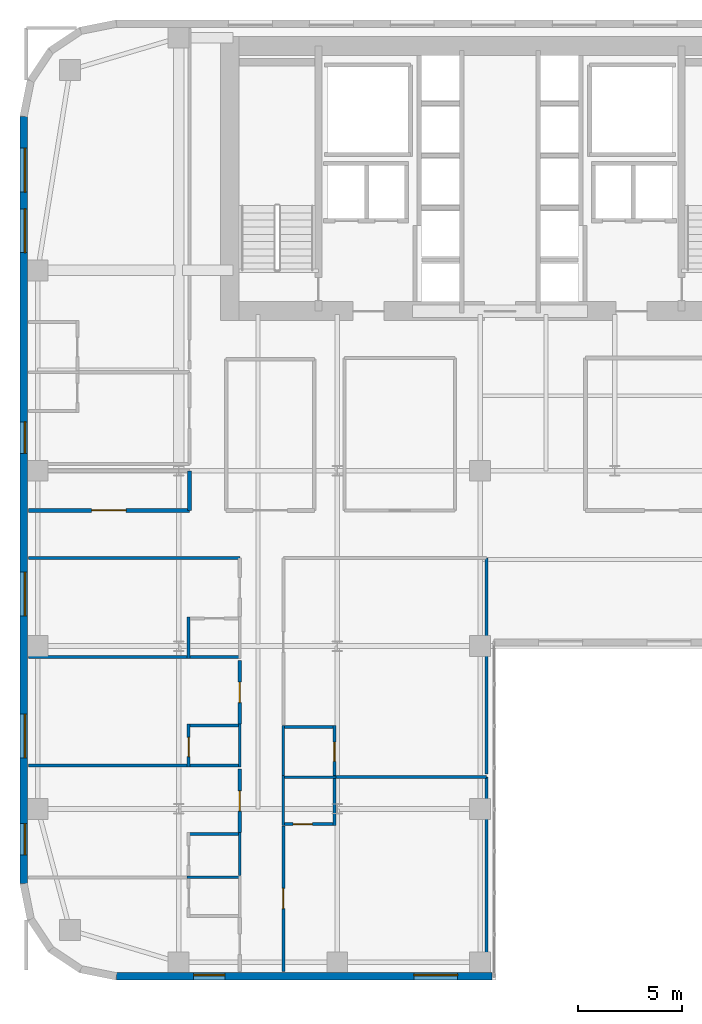
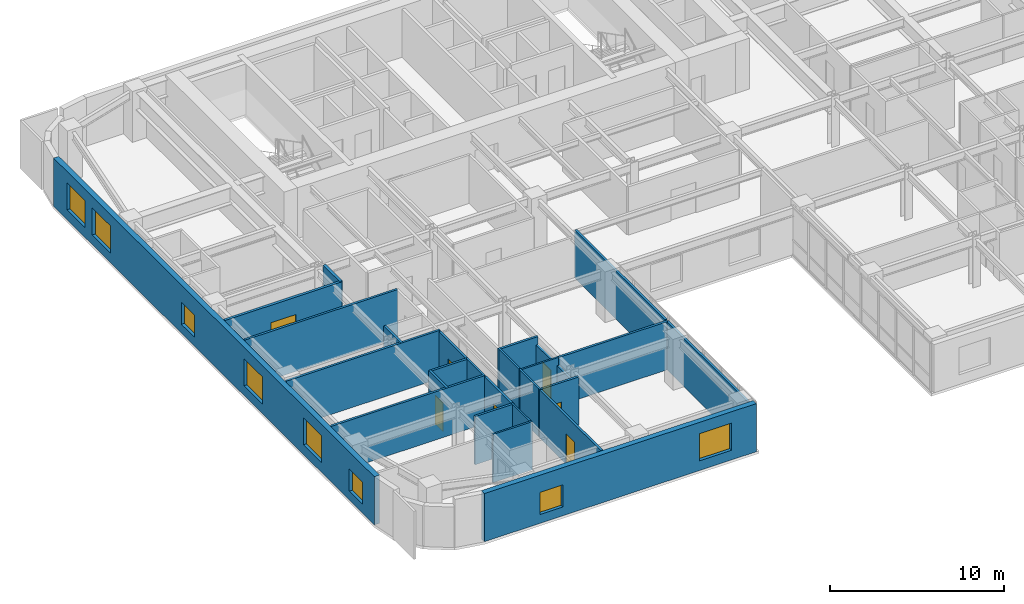
# One storey, part 10 of 16: 27 walls, 8 windows, 7 doors, 15 openings.
"""IFC4 building model written with IfcOpenShell, lengths in metres."""

from ifc_helpers import new_model, si_unit, direction, frame, frame_2d, origin, place, context, subcontext, project, spatial, rectangle, extrude, source, transform, mapped, material, layer, layer_set, type_object, type_shapes, element, fill, save


model = new_model("IFC4")

# Units and contexts
model_context = context("Model", 3, precision=1e-05, world=origin(), true_north=direction((0.0, 1.0)))
body_context = subcontext(model_context, "Body", "Model", "MODEL_VIEW")
ifc_project = project(units=[si_unit("LENGTHUNIT", "METRE"), si_unit("AREAUNIT", "SQUARE_METRE"), si_unit("VOLUMEUNIT", "CUBIC_METRE"), si_unit("PLANEANGLEUNIT", "RADIAN"), si_unit("MASSUNIT", "GRAM", prefix="KILO")], contexts=[model_context])

# Site, building, storey
site_placement = place(None, origin())
site = spatial("IfcSite", under=ifc_project, at=site_placement, CompositionType="ELEMENT")
building_placement = place(site_placement, origin())
building = spatial("IfcBuilding", under=site, at=building_placement, Name="Tolvann Quenvar Hotel", CompositionType="ELEMENT")
storey_placement = place(building_placement, frame((0.0, 0.0, 63.949951171875)))
storey = spatial("IfcBuildingStorey", under=building, at=storey_placement, Name="L15", CompositionType="ELEMENT", Elevation=63.949951171875)

# Wall, openings, windows
ifc_material_1 = material(Name="Kiln-fired red and buff architectural clay brickwork and terracotta masonry", Category="masonry")
ifc_layer_1 = layer(ifc_material_1, 0.35009765625)
ifc_layer_set_1 = layer_set([ifc_layer_1], Name="Kiln-fired red and buff architectural clay brickwork and terracotta masonry")
wall_type_1 = type_object("IfcWallType", Name="WALL_EXT_BRICK_350", PredefinedType="SOLIDWALL", material=ifc_layer_set_1)
wall_1_placement = place(storey_placement, frame((4.6171875, 0.175048828125, 0.0), z_axis=(0.0, 0.0, 1.0), x_axis=(1.0, 0.0, 0.0)))
wall_1 = element("IfcWall", 1, at=wall_1_placement, inside=storey, type_object=wall_type_1, Name="Exterior Chicago Brick Wall L15-E04", PredefinedType="SOLIDWALL", context=body_context, shape_type="SweptSolid", body=[
    extrude(rectangle(XDim=18.0078125, YDim=0.35009765625, at=frame_2d((9.00390625, 0.0))), origin(), (0.0, 0.0, 1.0), 3.3701171875),
])
opening_1_placement = place(wall_1_placement, frame((14.257080078125, 0.0, 0.679931640625)))
opening_1 = element("IfcOpeningElement", 2, at=opening_1_placement, cuts=wall_1, Name="Opening W-02", PredefinedType="OPENING", context=body_context, shape_type="SweptSolid", body=[
    extrude(rectangle(XDim=2.10009765625, YDim=1.89990234375, at=frame_2d((1.050048828125, 0.949951171875))), frame((0.0, 0.18505859375, 0.0), z_axis=(0.0, -1.0, 0.0), x_axis=(1.0, 0.0, 0.0)), (0.0, 0.0, 1.0), 0.3701171875),
])
opening_2_placement = place(wall_1_placement, frame((3.699951171875, 0.0, 0.6201171875)))
opening_2 = element("IfcOpeningElement", 3, at=opening_2_placement, cuts=wall_1, Name="Opening W-08", PredefinedType="OPENING", context=body_context, shape_type="SweptSolid", body=[
    extrude(rectangle(XDim=1.5, YDim=1.550048828125, at=frame_2d((0.75, 0.77490234375))), frame((0.0, 0.18505859375, 0.0), z_axis=(0.0, -1.0, 0.0), x_axis=(1.0, 0.0, 0.0)), (0.0, 0.0, 1.0), 0.3701171875),
])
ifc_material_2 = material(Name="Thermally broken bronze-anodised aluminium frame with double low-E glazing", Category="aluminium")
window_type_1 = type_object("IfcWindowType", Name="WIN_COR_1500x2050", PartitioningType="SINGLE_PANEL", PredefinedType="WINDOW", material=ifc_material_2)
shared_shape_1 = source(origin(), body_context, "Body", "SweptSolid", [
    extrude(rectangle(XDim=1.5, YDim=1.550048828125, at=frame_2d((0.75, 0.77490234375))), frame((0.0, 0.090087890625, 0.0), z_axis=(0.0, -1.0, 0.0), x_axis=(1.0, 0.0, 0.0)), (0.0, 0.0, 1.0), 0.06005859375),
])
type_shapes(window_type_1, [shared_shape_1])
window_1_placement = place(opening_2_placement, origin())
window_1 = element("IfcWindow", 4, at=window_1_placement, inside=storey, type_object=window_type_1, Name="Chicago Window W-08 (EW-L15-E04-WD02)", OverallHeight=1.550048828125, OverallWidth=1.5, PartitioningType="SINGLE_PANEL", PredefinedType="WINDOW", context=body_context, shape_type="MappedRepresentation", body=[
    mapped(shared_shape_1, transform((0.0, 0.0, 0.0), x_axis=(1.0, 0.0, 0.0), y_axis=(0.0, 1.0, 0.0), z_axis=(0.0, 0.0, 1.0), scale=1.0)),
])
fill(opening_2, window_1)
window_type_2 = type_object("IfcWindowType", Name="WIN_CHI_2100x2050", PartitioningType="TRIPLE_PANEL_HORIZONTAL", PredefinedType="WINDOW", material=ifc_material_2)
shared_shape_2 = source(origin(), body_context, "Body", "SweptSolid", [
    extrude(rectangle(XDim=2.10009765625, YDim=1.89990234375, at=frame_2d((1.050048828125, 0.949951171875))), frame((0.0, 0.090087890625, 0.0), z_axis=(0.0, -1.0, 0.0), x_axis=(1.0, 0.0, 0.0)), (0.0, 0.0, 1.0), 0.06005859375),
])
type_shapes(window_type_2, [shared_shape_2])
window_2_placement = place(opening_1_placement, origin())
window_2 = element("IfcWindow", 5, at=window_2_placement, inside=storey, type_object=window_type_2, Name="Chicago Window W-02 (EW-L15-E04-W01)", OverallHeight=1.89990234375, OverallWidth=2.10009765625, PartitioningType="TRIPLE_PANEL_HORIZONTAL", PredefinedType="WINDOW", context=body_context, shape_type="MappedRepresentation", body=[
    mapped(shared_shape_2, transform((0.0, 0.0, 0.0), x_axis=(1.0, 0.0, 0.0), y_axis=(0.0, 1.0, 0.0), z_axis=(0.0, 0.0, 1.0), scale=1.0)),
])
fill(opening_1, window_2)

wall_2_placement = place(storey_placement, frame((0.175048828125, 41.3828125, 0.0), z_axis=(0.0, 0.0, 1.0), x_axis=(0.0, -1.0, 0.0)))
wall_2 = element("IfcWall", 6, at=wall_2_placement, inside=storey, type_object=wall_type_1, Name="Exterior Chicago Brick Wall L15-E23", PredefinedType="SOLIDWALL", context=body_context, shape_type="SweptSolid", body=[
    extrude(rectangle(XDim=36.765625, YDim=0.35009765625, at=frame_2d((18.3828125, 0.0))), origin(), (0.0, 0.0, 1.0), 3.3701171875),
])
opening_3_placement = place(wall_2_placement, frame((1.52587890625, 0.0, 0.679931640625)))
opening_3 = element("IfcOpeningElement", 7, at=opening_3_placement, cuts=wall_2, Name="Opening W-02", PredefinedType="OPENING", context=body_context, shape_type="SweptSolid", body=[
    extrude(rectangle(XDim=2.10009765625, YDim=1.89990234375, at=frame_2d((1.050048828125, 0.949951171875))), frame((0.0, 0.18505859375, 0.0), z_axis=(0.0, -1.0, 0.0), x_axis=(1.0, 0.0, 0.0)), (0.0, 0.0, 1.0), 0.3701171875),
])
opening_4_placement = place(wall_2_placement, frame((4.427978515625, 0.0, 0.679931640625)))
opening_4 = element("IfcOpeningElement", 8, at=opening_4_placement, cuts=wall_2, Name="Opening W-02", PredefinedType="OPENING", context=body_context, shape_type="SweptSolid", body=[
    extrude(rectangle(XDim=2.10009765625, YDim=1.89990234375, at=frame_2d((1.050048828125, 0.949951171875))), frame((0.0, 0.18505859375, 0.0), z_axis=(0.0, -1.0, 0.0), x_axis=(1.0, 0.0, 0.0)), (0.0, 0.0, 1.0), 0.3701171875),
])
opening_5_placement = place(wall_2_placement, frame((21.8349609375, 0.0, 0.679931640625)))
opening_5 = element("IfcOpeningElement", 9, at=opening_5_placement, cuts=wall_2, Name="Opening W-02", PredefinedType="OPENING", context=body_context, shape_type="SweptSolid", body=[
    extrude(rectangle(XDim=2.10009765625, YDim=1.89990234375, at=frame_2d((1.050048828125, 0.949951171875))), frame((0.0, 0.18505859375, 0.0), z_axis=(0.0, -1.0, 0.0), x_axis=(1.0, 0.0, 0.0)), (0.0, 0.0, 1.0), 0.3701171875),
])
opening_6_placement = place(wall_2_placement, frame((28.637939453125, 0.0, 0.679931640625)))
opening_6 = element("IfcOpeningElement", 10, at=opening_6_placement, cuts=wall_2, Name="Opening W-02", PredefinedType="OPENING", context=body_context, shape_type="SweptSolid", body=[
    extrude(rectangle(XDim=2.10009765625, YDim=1.89990234375, at=frame_2d((1.050048828125, 0.949951171875))), frame((0.0, 0.18505859375, 0.0), z_axis=(0.0, -1.0, 0.0), x_axis=(1.0, 0.0, 0.0)), (0.0, 0.0, 1.0), 0.3701171875),
])
opening_7_placement = place(wall_2_placement, frame((33.89306640625, 0.0, 0.6201171875)))
opening_7 = element("IfcOpeningElement", 11, at=opening_7_placement, cuts=wall_2, Name="Opening W-08", PredefinedType="OPENING", context=body_context, shape_type="SweptSolid", body=[
    extrude(rectangle(XDim=1.5, YDim=1.550048828125, at=frame_2d((0.75, 0.77490234375))), frame((0.0, 0.18505859375, 0.0), z_axis=(0.0, -1.0, 0.0), x_axis=(1.0, 0.0, 0.0)), (0.0, 0.0, 1.0), 0.3701171875),
])
opening_8_placement = place(wall_2_placement, frame((14.64306640625, 0.0, 0.6201171875)))
opening_8 = element("IfcOpeningElement", 12, at=opening_8_placement, cuts=wall_2, Name="Opening W-08", PredefinedType="OPENING", context=body_context, shape_type="SweptSolid", body=[
    extrude(rectangle(XDim=1.5, YDim=1.550048828125, at=frame_2d((0.75, 0.77490234375))), frame((0.0, 0.18505859375, 0.0), z_axis=(0.0, -1.0, 0.0), x_axis=(1.0, 0.0, 0.0)), (0.0, 0.0, 1.0), 0.3701171875),
])
window_3_placement = place(opening_7_placement, origin())
window_3 = element("IfcWindow", 13, at=window_3_placement, inside=storey, type_object=window_type_1, Name="Chicago Window W-08 (EW-L15-E23-WD05)", OverallHeight=1.550048828125, OverallWidth=1.5, PartitioningType="SINGLE_PANEL", PredefinedType="WINDOW", context=body_context, shape_type="MappedRepresentation", body=[
    mapped(shared_shape_1, transform((0.0, 0.0, 0.0), x_axis=(1.0, 0.0, 0.0), y_axis=(0.0, 1.0, 0.0), z_axis=(0.0, 0.0, 1.0), scale=1.0)),
])
fill(opening_7, window_3)
window_4_placement = place(opening_8_placement, origin())
window_4 = element("IfcWindow", 14, at=window_4_placement, inside=storey, type_object=window_type_1, Name="Chicago Window W-08 (EW-L15-E23-WD06)", OverallHeight=1.550048828125, OverallWidth=1.5, PartitioningType="SINGLE_PANEL", PredefinedType="WINDOW", context=body_context, shape_type="MappedRepresentation", body=[
    mapped(shared_shape_1, transform((0.0, 0.0, 0.0), x_axis=(1.0, 0.0, 0.0), y_axis=(0.0, 1.0, 0.0), z_axis=(0.0, 0.0, 1.0), scale=1.0)),
])
fill(opening_8, window_4)
window_5_placement = place(opening_3_placement, origin())
window_5 = element("IfcWindow", 15, at=window_5_placement, inside=storey, type_object=window_type_2, Name="Chicago Window W-02 (EW-L15-E23-W01)", OverallHeight=1.89990234375, OverallWidth=2.10009765625, PartitioningType="TRIPLE_PANEL_HORIZONTAL", PredefinedType="WINDOW", context=body_context, shape_type="MappedRepresentation", body=[
    mapped(shared_shape_2, transform((0.0, 0.0, 0.0), x_axis=(1.0, 0.0, 0.0), y_axis=(0.0, 1.0, 0.0), z_axis=(0.0, 0.0, 1.0), scale=1.0)),
])
fill(opening_3, window_5)
window_6_placement = place(opening_4_placement, origin())
window_6 = element("IfcWindow", 16, at=window_6_placement, inside=storey, type_object=window_type_2, Name="Chicago Window W-02 (EW-L15-E23-W02)", OverallHeight=1.89990234375, OverallWidth=2.10009765625, PartitioningType="TRIPLE_PANEL_HORIZONTAL", PredefinedType="WINDOW", context=body_context, shape_type="MappedRepresentation", body=[
    mapped(shared_shape_2, transform((0.0, 0.0, 0.0), x_axis=(1.0, 0.0, 0.0), y_axis=(0.0, 1.0, 0.0), z_axis=(0.0, 0.0, 1.0), scale=1.0)),
])
fill(opening_4, window_6)
window_7_placement = place(opening_5_placement, origin())
window_7 = element("IfcWindow", 17, at=window_7_placement, inside=storey, type_object=window_type_2, Name="Chicago Window W-02 (EW-L15-E23-W03)", OverallHeight=1.89990234375, OverallWidth=2.10009765625, PartitioningType="TRIPLE_PANEL_HORIZONTAL", PredefinedType="WINDOW", context=body_context, shape_type="MappedRepresentation", body=[
    mapped(shared_shape_2, transform((0.0, 0.0, 0.0), x_axis=(1.0, 0.0, 0.0), y_axis=(0.0, 1.0, 0.0), z_axis=(0.0, 0.0, 1.0), scale=1.0)),
])
fill(opening_5, window_7)
window_8_placement = place(opening_6_placement, origin())
window_8 = element("IfcWindow", 18, at=window_8_placement, inside=storey, type_object=window_type_2, Name="Chicago Window W-02 (EW-L15-E23-W04)", OverallHeight=1.89990234375, OverallWidth=2.10009765625, PartitioningType="TRIPLE_PANEL_HORIZONTAL", PredefinedType="WINDOW", context=body_context, shape_type="MappedRepresentation", body=[
    mapped(shared_shape_2, transform((0.0, 0.0, 0.0), x_axis=(1.0, 0.0, 0.0), y_axis=(0.0, 1.0, 0.0), z_axis=(0.0, 0.0, 1.0), scale=1.0)),
])
fill(opening_6, window_8)

# Wall, opening, door
ifc_material_3 = material(Name="Acoustic twin-stud fire-rated gypsum plasterboard partition")
ifc_layer_2 = layer(ifc_material_3, 0.179931640625)
ifc_layer_set_2 = layer_set([ifc_layer_2], Name="Acoustic twin-stud fire-rated gypsum plasterboard partition")
wall_type_2 = type_object("IfcWallType", Name="WALL_PART_ACOUSTIC_180", PredefinedType="PARTITIONING", material=ifc_layer_set_2)
wall_3_placement = place(storey_placement, frame((0.405029296875, 22.5, 0.0), z_axis=(0.0, 0.0, 1.0), x_axis=(1.0, 0.0, 0.0)))
wall_3 = element("IfcWall", 19, at=wall_3_placement, inside=storey, type_object=wall_type_2, Name="Interior Partition PT-SPC-L15-SAL-S", PredefinedType="PARTITIONING", context=body_context, shape_type="SweptSolid", body=[
    extrude(rectangle(XDim=7.715087890625, YDim=0.179931640625, at=frame_2d((3.857421875, 0.0))), origin(), (0.0, 0.0, 1.0), 3.3701171875),
])
opening_9_placement = place(wall_3_placement, frame((3.032470703125, 0.0, 0.0)))
opening_9 = element("IfcOpeningElement", 20, at=opening_9_placement, cuts=wall_3, Name="Opening AD-01", PredefinedType="OPENING", context=body_context, shape_type="SweptSolid", body=[
    extrude(rectangle(XDim=1.64990234375, YDim=2.14990234375, at=frame_2d((0.824951171875, 1.074951171875))), frame((0.0, 0.10009765625, 0.0), z_axis=(0.0, -1.0, 0.0), x_axis=(1.0, 0.0, 0.0)), (0.0, 0.0, 1.0), 0.199951171875),
])
ifc_material_4 = material(Name="Solid-core American oak acoustic fire door leaf in steel frame", Category="steel")
door_type_1 = type_object("IfcDoorType", Name="DOOR_SALON_1650", OperationType="NOTDEFINED", PredefinedType="DOOR", material=ifc_material_4)
shared_shape_3 = source(origin(), body_context, "Body", "SweptSolid", [
    extrude(rectangle(XDim=1.64990234375, YDim=2.14990234375, at=frame_2d((0.824951171875, 1.074951171875))), frame((0.0, 0.02490234375, 0.0), z_axis=(0.0, -1.0, 0.0), x_axis=(1.0, 0.0, 0.0)), (0.0, 0.0, 1.0), 0.050048828125),
])
type_shapes(door_type_1, [shared_shape_3])
door_1_placement = place(opening_9_placement, origin())
door_1 = element("IfcDoor", 21, at=door_1_placement, inside=storey, type_object=door_type_1, Name="Interior Door DOOR-SPC-L15-SAL", OperationType="DOUBLE_DOOR_SINGLE_SWING", OverallHeight=2.14990234375, OverallWidth=1.64990234375, PredefinedType="DOOR", context=body_context, shape_type="MappedRepresentation", body=[
    mapped(shared_shape_3, transform((0.0, 0.0, 0.0), x_axis=(1.0, 0.0, 0.0), y_axis=(0.0, 1.0, 0.0), z_axis=(0.0, 0.0, 1.0), scale=1.0)),
])
fill(opening_9, door_1)

# Walls
wall_4_placement = place(storey_placement, frame((8.1201171875, 22.5, 0.0), z_axis=(0.0, 0.0, 1.0), x_axis=(0.0, 1.0, 0.0)))
element("IfcWall", 22, at=wall_4_placement, inside=storey, type_object=wall_type_2, Name="Interior Partition PT-SPC-L15-SAL-E", PredefinedType="PARTITIONING", context=body_context, shape_type="SweptSolid", body=[
    extrude(rectangle(XDim=1.89990234375, YDim=0.179931640625, at=frame_2d((0.949951171875, 0.0))), origin(), (0.0, 0.0, 1.0), 3.3701171875),
])
ifc_material_5 = material(Name="Moisture-resistant acoustic plumbing wall assembly")
ifc_layer_3 = layer(ifc_material_5, 0.1201171875)
ifc_layer_set_3 = layer_set([ifc_layer_3], Name="Moisture-resistant acoustic plumbing wall assembly")
wall_type_3 = type_object("IfcWallType", Name="WALL_PART_BATH_120", PredefinedType="PLUMBINGWALL", material=ifc_layer_set_3)
wall_5_placement = place(storey_placement, frame((8.010009765625, 4.919921875, 0.0), z_axis=(0.0, 0.0, 1.0), x_axis=(1.0, 0.0, 0.0)))
element("IfcWall", 23, at=wall_5_placement, inside=storey, type_object=wall_type_3, Name="Non-Rated Plumbing Partition PT-SPC-L15-ENS-WO01-N", PredefinedType="PLUMBINGWALL", context=body_context, shape_type="SweptSolid", body=[
    extrude(rectangle(XDim=2.590087890625, YDim=0.1201171875, at=frame_2d((1.294921875, 0.0))), origin(), (0.0, 0.0, 1.0), 3.3701171875),
])
for number, where, z_axis, x_axis, name in (
    (24, (10.530029296875, 5.010009765625, 0.0), (0.0, 0.0, 1.0), (0.0, 1.0, 0.0), "Non-Rated Plumbing Partition PT-SPC-L15-ENS-WO02-E"),
    (25, (10.530029296875, 10.2099609375, 0.0), (0.0, 0.0, 1.0), (0.0, 1.0, 0.0), "Non-Rated Plumbing Partition PT-SPC-L15-ENS-WO03-E"),
):
    element("IfcWall", number, at=place(storey_placement, frame(where, z_axis=z_axis, x_axis=x_axis)), inside=storey, type_object=wall_type_3, Name=name, PredefinedType="PLUMBINGWALL", context=body_context, shape_type="SweptSolid", body=[
        extrude(rectangle(XDim=2.054931640625, YDim=0.1201171875, at=frame_2d((1.02734375, 0.0))), origin(), (0.0, 0.0, 1.0), 3.3701171875),
    ])
wall_6_placement = place(storey_placement, frame((12.550048828125, 9.719970703125, 0.0), z_axis=(0.0, 0.0, 1.0), x_axis=(1.0, 0.0, 0.0)))
element("IfcWall", 26, at=wall_6_placement, inside=storey, type_object=wall_type_3, Name="Non-Rated Plumbing Partition PT-SPC-L15-ENS-WI01-N", PredefinedType="PLUMBINGWALL", context=body_context, shape_type="SweptSolid", body=[
    extrude(rectangle(XDim=2.58984375, YDim=0.1201171875, at=frame_2d((1.294921875, 0.0))), origin(), (0.0, 0.0, 1.0), 3.3701171875),
])
wall_7_placement = place(storey_placement, frame((12.6201171875, 7.39990234375, 0.0), z_axis=(0.0, 0.0, 1.0), x_axis=(0.0, 1.0, 0.0)))
element("IfcWall", 27, at=wall_7_placement, inside=storey, type_object=wall_type_3, Name="Non-Rated Plumbing Partition PT-SPC-L15-ENS-WI01-W", PredefinedType="PLUMBINGWALL", context=body_context, shape_type="SweptSolid", body=[
    extrude(rectangle(XDim=2.39013671875, YDim=0.1201171875, at=frame_2d((1.195068359375, 0.0))), origin(), (0.0, 0.0, 1.0), 3.3701171875),
])
wall_8_placement = place(storey_placement, frame((12.6201171875, 9.81005859375, 0.0), z_axis=(0.0, 0.0, 1.0), x_axis=(0.0, 1.0, 0.0)))
element("IfcWall", 28, at=wall_8_placement, inside=storey, type_object=wall_type_3, Name="Non-Rated Plumbing Partition PT-SPC-L15-ENS-WI02-W", PredefinedType="PLUMBINGWALL", context=body_context, shape_type="SweptSolid", body=[
    extrude(rectangle(XDim=2.389892578125, YDim=0.1201171875, at=frame_2d((1.19482421875, 0.0))), origin(), (0.0, 0.0, 1.0), 3.3701171875),
])
ifc_layer_4 = layer(ifc_material_3, 0.14990234375)
ifc_layer_set_4 = layer_set([ifc_layer_4], Name="Acoustic twin-stud fire-rated gypsum plasterboard partition")
wall_type_4 = type_object("IfcWallType", Name="WALL_PART_SUITE_150", PredefinedType="PARTITIONING", material=ifc_layer_set_4)
wall_9_placement = place(storey_placement, frame((8.010009765625, 6.9951171875, 0.0), z_axis=(0.0, 0.0, 1.0), x_axis=(1.0, 0.0, 0.0)))
element("IfcWall", 29, at=wall_9_placement, inside=storey, type_object=wall_type_4, Name="Interior Partition PT-SPC-L15-ENS-WO02-N", PredefinedType="PARTITIONING", context=body_context, shape_type="SweptSolid", body=[
    extrude(rectangle(XDim=2.590087890625, YDim=0.14990234375, at=frame_2d((1.294921875, 0.0))), origin(), (0.0, 0.0, 1.0), 3.3701171875),
])

# Wall, opening, door
wall_10_placement = place(storey_placement, frame((8.080078125, 10.2099609375, 0.0), z_axis=(0.0, 0.0, 1.0), x_axis=(0.0, 1.0, 0.0)))
wall_10 = element("IfcWall", 30, at=wall_10_placement, inside=storey, type_object=wall_type_4, Name="Interior Partition PT-SPC-L15-ENS-WO03-ENT", PredefinedType="PARTITIONING", context=body_context, shape_type="SweptSolid", body=[
    extrude(rectangle(XDim=2.054931640625, YDim=0.14990234375, at=frame_2d((1.02734375, 0.0))), origin(), (0.0, 0.0, 1.0), 3.3701171875),
])
opening_10_placement = place(wall_10_placement, frame((0.49755859375, 0.0, 0.0)))
opening_10 = element("IfcOpeningElement", 31, at=opening_10_placement, cuts=wall_10, Name="Opening WD-01", PredefinedType="OPENING", context=body_context, shape_type="SweptSolid", body=[
    extrude(rectangle(XDim=0.919921875, YDim=2.010009765625, at=frame_2d((0.4599609375, 1.0048828125))), frame((0.0, 0.0849609375, 0.0), z_axis=(0.0, -1.0, 0.0), x_axis=(1.0, 0.0, 0.0)), (0.0, 0.0, 1.0), 0.169921875),
])
door_type_2 = type_object("IfcDoorType", Name="DOOR_WC_920", OperationType="NOTDEFINED", PredefinedType="DOOR", material=ifc_material_4)
shared_shape_4 = source(origin(), body_context, "Body", "SweptSolid", [
    extrude(rectangle(XDim=0.919921875, YDim=2.010009765625, at=frame_2d((0.4599609375, 1.0048828125))), frame((0.0, 0.02490234375, 0.0), z_axis=(0.0, -1.0, 0.0), x_axis=(1.0, 0.0, 0.0)), (0.0, 0.0, 1.0), 0.050048828125),
])
type_shapes(door_type_2, [shared_shape_4])
door_2_placement = place(opening_10_placement, origin())
door_2 = element("IfcDoor", 32, at=door_2_placement, inside=storey, type_object=door_type_2, Name="Interior Door DOOR-SPC-L15-ENS-WO03", OperationType="SINGLE_SWING_RIGHT", OverallHeight=2.010009765625, OverallWidth=0.919921875, PredefinedType="DOOR", context=body_context, shape_type="MappedRepresentation", body=[
    mapped(shared_shape_4, transform((0.0, 0.0, 0.0), x_axis=(1.0, 0.0, 0.0), y_axis=(0.0, 1.0, 0.0), z_axis=(0.0, 0.0, 1.0), scale=1.0)),
])
fill(opening_10, door_2)

# Walls
wall_11_placement = place(storey_placement, frame((0.405029296875, 10.280029296875, 0.0), z_axis=(0.0, 0.0, 1.0), x_axis=(1.0, 0.0, 0.0)))
element("IfcWall", 33, at=wall_11_placement, inside=storey, type_object=wall_type_4, Name="Interior Partition PT-SPC-L15-ENS-WO03-S", PredefinedType="PARTITIONING", context=body_context, shape_type="SweptSolid", body=[
    extrude(rectangle(XDim=10.195068359375, YDim=0.14990234375, at=frame_2d((5.09765625, 0.0))), origin(), (0.0, 0.0, 1.0), 3.3701171875),
])
wall_12_placement = place(storey_placement, frame((8.010009765625, 12.195068359375, 0.0), z_axis=(0.0, 0.0, 1.0), x_axis=(1.0, 0.0, 0.0)))
element("IfcWall", 34, at=wall_12_placement, inside=storey, type_object=wall_type_4, Name="Interior Partition PT-SPC-L15-ENS-WO03-N", PredefinedType="PARTITIONING", context=body_context, shape_type="SweptSolid", body=[
    extrude(rectangle(XDim=2.590087890625, YDim=0.14990234375, at=frame_2d((1.294921875, 0.0))), origin(), (0.0, 0.0, 1.0), 3.3701171875),
])
wall_13_placement = place(storey_placement, frame((8.080078125, 15.409912109375, 0.0), z_axis=(0.0, 0.0, 1.0), x_axis=(0.0, 1.0, 0.0)))
element("IfcWall", 35, at=wall_13_placement, inside=storey, type_object=wall_type_4, Name="Interior Partition PT-SPC-L15-ENS-WO04-ENT", PredefinedType="PARTITIONING", context=body_context, shape_type="SweptSolid", body=[
    extrude(rectangle(XDim=1.989990234375, YDim=0.14990234375, at=frame_2d((0.9951171875, 0.0))), origin(), (0.0, 0.0, 1.0), 3.3701171875),
])
wall_14_placement = place(storey_placement, frame((0.405029296875, 15.47998046875, 0.0), z_axis=(0.0, 0.0, 1.0), x_axis=(1.0, 0.0, 0.0)))
element("IfcWall", 36, at=wall_14_placement, inside=storey, type_object=wall_type_4, Name="Interior Partition PT-SPC-L15-ENS-WO04-S", PredefinedType="PARTITIONING", context=body_context, shape_type="SweptSolid", body=[
    extrude(rectangle(XDim=10.195068359375, YDim=0.14990234375, at=frame_2d((5.09765625, 0.0))), origin(), (0.0, 0.0, 1.0), 3.3701171875),
])
wall_15_placement = place(storey_placement, frame((15.070068359375, 7.39990234375, 0.0), z_axis=(0.0, 0.0, 1.0), x_axis=(0.0, 1.0, 0.0)))
element("IfcWall", 37, at=wall_15_placement, inside=storey, type_object=wall_type_4, Name="Interior Partition PT-SPC-L15-ENS-WI01-ENT", PredefinedType="PARTITIONING", context=body_context, shape_type="SweptSolid", body=[
    extrude(rectangle(XDim=2.39013671875, YDim=0.14990234375, at=frame_2d((1.195068359375, 0.0))), origin(), (0.0, 0.0, 1.0), 2.8271484375),
])

# Wall, opening, door
wall_16_placement = place(storey_placement, frame((12.550048828125, 7.469970703125, 0.0), z_axis=(0.0, 0.0, 1.0), x_axis=(1.0, 0.0, 0.0)))
wall_16 = element("IfcWall", 38, at=wall_16_placement, inside=storey, type_object=wall_type_4, Name="Interior Partition PT-SPC-L15-ENS-WI01-S", PredefinedType="PARTITIONING", context=body_context, shape_type="SweptSolid", body=[
    extrude(rectangle(XDim=2.58984375, YDim=0.14990234375, at=frame_2d((1.294921875, 0.0))), origin(), (0.0, 0.0, 1.0), 3.3701171875),
])
opening_11_placement = place(wall_16_placement, frame((0.534912109375, 0.0, 0.0)))
opening_11 = element("IfcOpeningElement", 39, at=opening_11_placement, cuts=wall_16, Name="Opening WD-01", PredefinedType="OPENING", context=body_context, shape_type="SweptSolid", body=[
    extrude(rectangle(XDim=0.919921875, YDim=2.010009765625, at=frame_2d((0.4599609375, 1.0048828125))), frame((0.0, 0.0849609375, 0.0), z_axis=(0.0, -1.0, 0.0), x_axis=(1.0, 0.0, 0.0)), (0.0, 0.0, 1.0), 0.169921875),
])
door_3_placement = place(opening_11_placement, origin())
door_3 = element("IfcDoor", 40, at=door_3_placement, inside=storey, type_object=door_type_2, Name="Interior Door DOOR-SPC-L15-ENS-WI01", OperationType="SINGLE_SWING_RIGHT", OverallHeight=2.010009765625, OverallWidth=0.919921875, PredefinedType="DOOR", context=body_context, shape_type="MappedRepresentation", body=[
    mapped(shared_shape_4, transform((0.0, 0.0, 0.0), x_axis=(1.0, 0.0, 0.0), y_axis=(0.0, 1.0, 0.0), z_axis=(0.0, 0.0, 1.0), scale=1.0)),
])
fill(opening_11, door_3)

wall_17_placement = place(storey_placement, frame((15.070068359375, 9.81005859375, 0.0), z_axis=(0.0, 0.0, 1.0), x_axis=(0.0, 1.0, 0.0)))
wall_17 = element("IfcWall", 41, at=wall_17_placement, inside=storey, type_object=wall_type_4, Name="Interior Partition PT-SPC-L15-ENS-WI02-ENT", PredefinedType="PARTITIONING", context=body_context, shape_type="SweptSolid", body=[
    extrude(rectangle(XDim=2.389892578125, YDim=0.14990234375, at=frame_2d((1.19482421875, 0.0))), origin(), (0.0, 0.0, 1.0), 2.8271484375),
])
opening_12_placement = place(wall_17_placement, frame((0.6650390625, 0.0, 0.0)))
opening_12 = element("IfcOpeningElement", 42, at=opening_12_placement, cuts=wall_17, Name="Opening WD-01", PredefinedType="OPENING", context=body_context, shape_type="SweptSolid", body=[
    extrude(rectangle(XDim=0.919921875, YDim=2.010009765625, at=frame_2d((0.4599609375, 1.0048828125))), frame((0.0, 0.0849609375, 0.0), z_axis=(0.0, -1.0, 0.0), x_axis=(1.0, 0.0, 0.0)), (0.0, 0.0, 1.0), 0.169921875),
])
door_4_placement = place(opening_12_placement, origin())
door_4 = element("IfcDoor", 43, at=door_4_placement, inside=storey, type_object=door_type_2, Name="Interior Door DOOR-SPC-L15-ENS-WI02", OperationType="SINGLE_SWING_LEFT", OverallHeight=2.010009765625, OverallWidth=0.919921875, PredefinedType="DOOR", context=body_context, shape_type="MappedRepresentation", body=[
    mapped(shared_shape_4, transform((0.0, 0.0, 0.0), x_axis=(1.0, 0.0, 0.0), y_axis=(0.0, 1.0, 0.0), z_axis=(0.0, 0.0, 1.0), scale=1.0)),
])
fill(opening_12, door_4)

# Wall
wall_18_placement = place(storey_placement, frame((12.550048828125, 12.1298828125, 0.0), z_axis=(0.0, 0.0, 1.0), x_axis=(1.0, 0.0, 0.0)))
element("IfcWall", 44, at=wall_18_placement, inside=storey, type_object=wall_type_4, Name="Interior Partition PT-SPC-L15-ENS-WI02-N", PredefinedType="PARTITIONING", context=body_context, shape_type="SweptSolid", body=[
    extrude(rectangle(XDim=2.58984375, YDim=0.14990234375, at=frame_2d((1.294921875, 0.0))), origin(), (0.0, 0.0, 1.0), 3.3701171875),
])

# Wall, opening, door
wall_19_placement = place(storey_placement, frame((10.530029296875, 7.074951171875, 0.0), z_axis=(0.0, 0.0, 1.0), x_axis=(0.0, 1.0, 0.0)))
wall_19 = element("IfcWall", 45, at=wall_19_placement, inside=storey, type_object=wall_type_4, Name="Interior Partition PT-SPC-L15-RM-WO02-ENT", PredefinedType="PARTITIONING", context=body_context, shape_type="SweptSolid", body=[
    extrude(rectangle(XDim=3.045166015625, YDim=0.14990234375, at=frame_2d((1.5224609375, 0.0))), origin(), (0.0, 0.0, 1.0), 3.3701171875),
])
opening_13_placement = place(wall_19_placement, frame((1.012451171875, 0.0, 0.0)))
opening_13 = element("IfcOpeningElement", 46, at=opening_13_placement, cuts=wall_19, Name="Opening SD-01", PredefinedType="OPENING", context=body_context, shape_type="SweptSolid", body=[
    extrude(rectangle(XDim=0.97998046875, YDim=2.1201171875, at=frame_2d((0.489990234375, 1.06005859375))), frame((0.0, 0.0849609375, 0.0), z_axis=(0.0, -1.0, 0.0), x_axis=(1.0, 0.0, 0.0)), (0.0, 0.0, 1.0), 0.169921875),
])
door_type_3 = type_object("IfcDoorType", Name="DOOR_SUITE_980", OperationType="NOTDEFINED", PredefinedType="DOOR", material=ifc_material_4)
shared_shape_5 = source(origin(), body_context, "Body", "SweptSolid", [
    extrude(rectangle(XDim=0.97998046875, YDim=2.1201171875, at=frame_2d((0.489990234375, 1.06005859375))), frame((0.0, 0.02490234375, 0.0), z_axis=(0.0, -1.0, 0.0), x_axis=(1.0, 0.0, 0.0)), (0.0, 0.0, 1.0), 0.050048828125),
])
type_shapes(door_type_3, [shared_shape_5])
door_5_placement = place(opening_13_placement, origin())
door_5 = element("IfcDoor", 47, at=door_5_placement, inside=storey, type_object=door_type_3, Name="Interior Door DOOR-SPC-L15-RM-WO02", OperationType="SINGLE_SWING_LEFT", OverallHeight=2.1201171875, OverallWidth=0.97998046875, PredefinedType="DOOR", context=body_context, shape_type="MappedRepresentation", body=[
    mapped(shared_shape_5, transform((0.0, 0.0, 0.0), x_axis=(1.0, 0.0, 0.0), y_axis=(0.0, 1.0, 0.0), z_axis=(0.0, 0.0, 1.0), scale=1.0)),
])
fill(opening_13, door_5)

wall_20_placement = place(storey_placement, frame((10.530029296875, 12.27490234375, 0.0), z_axis=(0.0, 0.0, 1.0), x_axis=(0.0, 1.0, 0.0)))
wall_20 = element("IfcWall", 48, at=wall_20_placement, inside=storey, type_object=wall_type_4, Name="Interior Partition PT-SPC-L15-RM-WO03-ENT", PredefinedType="PARTITIONING", context=body_context, shape_type="SweptSolid", body=[
    extrude(rectangle(XDim=3.045166015625, YDim=0.14990234375, at=frame_2d((1.5224609375, 0.0))), origin(), (0.0, 0.0, 1.0), 3.3701171875),
])
opening_14_placement = place(wall_20_placement, frame((1.012451171875, 0.0, 0.0)))
opening_14 = element("IfcOpeningElement", 49, at=opening_14_placement, cuts=wall_20, Name="Opening SD-01", PredefinedType="OPENING", context=body_context, shape_type="SweptSolid", body=[
    extrude(rectangle(XDim=0.97998046875, YDim=2.1201171875, at=frame_2d((0.489990234375, 1.06005859375))), frame((0.0, 0.0849609375, 0.0), z_axis=(0.0, -1.0, 0.0), x_axis=(1.0, 0.0, 0.0)), (0.0, 0.0, 1.0), 0.169921875),
])
door_6_placement = place(opening_14_placement, origin())
door_6 = element("IfcDoor", 50, at=door_6_placement, inside=storey, type_object=door_type_3, Name="Interior Door DOOR-SPC-L15-RM-WO03", OperationType="SINGLE_SWING_RIGHT", OverallHeight=2.1201171875, OverallWidth=0.97998046875, PredefinedType="DOOR", context=body_context, shape_type="MappedRepresentation", body=[
    mapped(shared_shape_5, transform((0.0, 0.0, 0.0), x_axis=(1.0, 0.0, 0.0), y_axis=(0.0, 1.0, 0.0), z_axis=(0.0, 0.0, 1.0), scale=1.0)),
])
fill(opening_14, door_6)

# Wall
wall_21_placement = place(storey_placement, frame((0.405029296875, 20.219970703125, 0.0), z_axis=(0.0, 0.0, 1.0), x_axis=(1.0, 0.0, 0.0)))
element("IfcWall", 51, at=wall_21_placement, inside=storey, type_object=wall_type_4, Name="Interior Partition PT-SPC-L15-RM-WO04-E5", PredefinedType="PARTITIONING", context=body_context, shape_type="SweptSolid", body=[
    extrude(rectangle(XDim=10.125, YDim=0.14990234375, at=frame_2d((5.0625, 0.0))), origin(), (0.0, 0.0, 1.0), 3.3701171875),
])

# Wall, opening, door
wall_22_placement = place(storey_placement, frame((12.6201171875, 0.405029296875, 0.0), z_axis=(0.0, 0.0, 1.0), x_axis=(0.0, 1.0, 0.0)))
wall_22 = element("IfcWall", 52, at=wall_22_placement, inside=storey, type_object=wall_type_4, Name="Interior Partition PT-SPC-L15-RM-WI01-ENT", PredefinedType="PARTITIONING", context=body_context, shape_type="SweptSolid", body=[
    extrude(rectangle(XDim=6.98486328125, YDim=0.14990234375, at=frame_2d((3.492431640625, 0.0))), origin(), (0.0, 0.0, 1.0), 3.3701171875),
])
opening_15_placement = place(wall_22_placement, frame((3.010009765625, 0.0, 0.0)))
opening_15 = element("IfcOpeningElement", 53, at=opening_15_placement, cuts=wall_22, Name="Opening SD-01", PredefinedType="OPENING", context=body_context, shape_type="SweptSolid", body=[
    extrude(rectangle(XDim=0.97998046875, YDim=2.1201171875, at=frame_2d((0.489990234375, 1.06005859375))), frame((0.0, 0.0849609375, 0.0), z_axis=(0.0, -1.0, 0.0), x_axis=(1.0, 0.0, 0.0)), (0.0, 0.0, 1.0), 0.169921875),
])
door_7_placement = place(opening_15_placement, origin())
door_7 = element("IfcDoor", 54, at=door_7_placement, inside=storey, type_object=door_type_3, Name="Interior Door DOOR-SPC-L15-RM-WI01", OperationType="SINGLE_SWING_RIGHT", OverallHeight=2.1201171875, OverallWidth=0.97998046875, PredefinedType="DOOR", context=body_context, shape_type="MappedRepresentation", body=[
    mapped(shared_shape_5, transform((0.0, 0.0, 0.0), x_axis=(1.0, 0.0, 0.0), y_axis=(0.0, 1.0, 0.0), z_axis=(0.0, 0.0, 1.0), scale=1.0)),
])
fill(opening_15, door_7)

# Walls
wall_23_placement = place(storey_placement, frame((22.35009765625, 0.405029296875, 0.0), z_axis=(0.0, 0.0, 1.0), x_axis=(0.0, 1.0, 0.0)))
element("IfcWall", 55, at=wall_23_placement, inside=storey, type_object=wall_type_4, Name="Interior Partition PT-SPC-L15-RM-WI01-E2", PredefinedType="PARTITIONING", context=body_context, shape_type="SweptSolid", body=[
    extrude(rectangle(XDim=9.31494140625, YDim=0.14990234375, at=frame_2d((4.657470703125, 0.0))), origin(), (0.0, 0.0, 1.0), 3.3701171875),
])
wall_24_placement = place(storey_placement, frame((15.090087890625, 9.719970703125, 0.0), z_axis=(0.0, 0.0, 1.0), x_axis=(1.0, 0.0, 0.0)))
element("IfcWall", 56, at=wall_24_placement, inside=storey, type_object=wall_type_4, Name="Interior Partition PT-SPC-L15-RM-WI01-E3", PredefinedType="PARTITIONING", context=body_context, shape_type="SweptSolid", body=[
    extrude(rectangle(XDim=7.260009765625, YDim=0.14990234375, at=frame_2d((3.6298828125, 0.0))), origin(), (0.0, 0.0, 1.0), 3.3701171875),
])
wall_25_placement = place(storey_placement, frame((22.35009765625, 9.8798828125, 0.0), z_axis=(0.0, 0.0, 1.0), x_axis=(0.0, 1.0, 0.0)))
element("IfcWall", 57, at=wall_25_placement, inside=storey, type_object=wall_type_4, Name="Interior Partition PT-SPC-L15-RM-WI02-E4", PredefinedType="PARTITIONING", context=body_context, shape_type="SweptSolid", body=[
    extrude(rectangle(XDim=10.340087890625, YDim=0.14990234375, at=frame_2d((5.169921875, 0.0))), origin(), (0.0, 0.0, 1.0), 3.3701171875),
])

save(model, "model.ifc")
